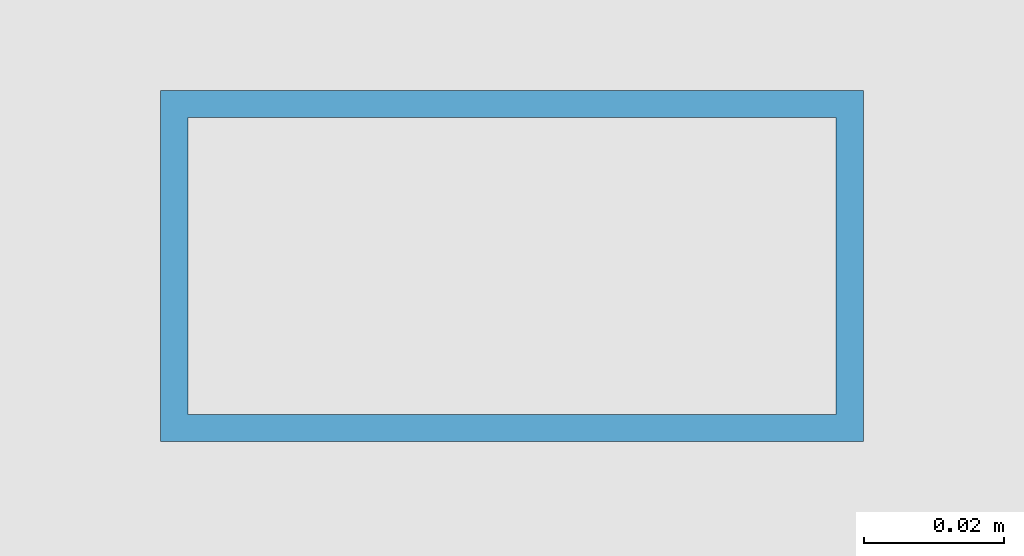
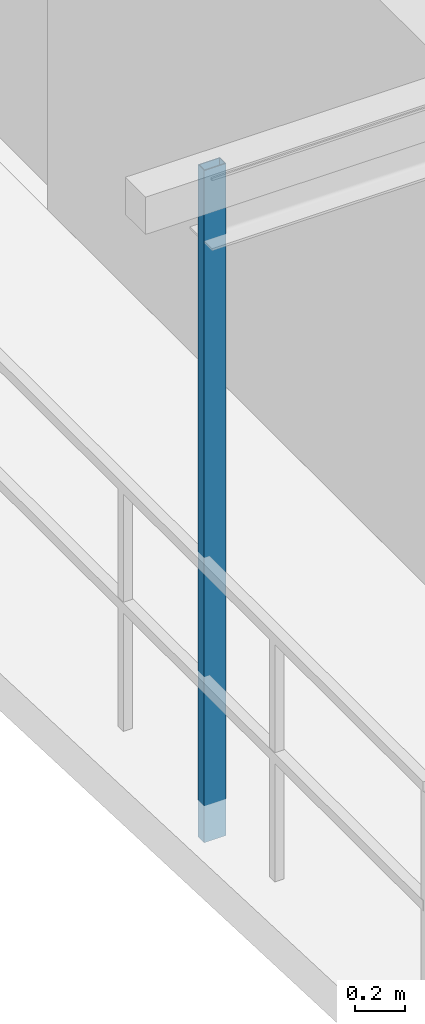
# One storey, part 2 of 15: 1 member.
"""IFC4 building model written with IfcOpenShell, lengths in metres."""

from ifc_helpers import new_model, si_unit, direction, frame, origin, origin_2d, place, context, subcontext, project, spatial, hollow_rectangle, extrude, source, transform, mapped, material, material_profile, profile_set, type_object, element, save


model = new_model("IFC4")

# Units and contexts
model_context = context("Model", 3, precision=1e-05, world=origin(), true_north=direction((0.0, 1.0)))
body_context = subcontext(model_context, "Body", "Model", "MODEL_VIEW")
ifc_project = project(units=[si_unit("LENGTHUNIT", "METRE"), si_unit("AREAUNIT", "SQUARE_METRE"), si_unit("VOLUMEUNIT", "CUBIC_METRE"), si_unit("PLANEANGLEUNIT", "RADIAN"), si_unit("MASSUNIT", "GRAM", prefix="KILO"), si_unit("THERMODYNAMICTEMPERATUREUNIT", "KELVIN"), si_unit("POWERUNIT", "WATT")], contexts=[model_context])

# Site, building, storey
site_placement = place(None, origin())
site = spatial("IfcSite", under=ifc_project, at=site_placement, CompositionType="ELEMENT")
building_placement = place(site_placement, origin())
building = spatial("IfcBuilding", under=site, at=building_placement, Name="Qiaomeng Ring Towers", CompositionType="ELEMENT")
storey_placement = place(building_placement, frame((0.0, 0.0, 193.75)))
storey = spatial("IfcBuildingStorey", under=building, at=storey_placement, Name="L56", CompositionType="ELEMENT", Elevation=193.75)

# Member
ifc_material = material(Name="Stainless steel 316", Category="steel")
ifc_material_profile = material_profile(ifc_material, hollow_rectangle(XDim=0.050048828125, YDim=0.10009765625, WallThickness=0.00390625, at=origin_2d()), Name="SS TRELLIS 100x50")
ifc_profile_set = profile_set([ifc_material_profile], Name="Stainless steel 316")
member_type = type_object("IfcMemberType", Name="ARC-TR-POST2", PredefinedType="STUD", material=ifc_profile_set)
shared_shape = source(origin(), body_context, "Body", "SweptSolid", [
    extrude(hollow_rectangle(XDim=0.050048828125, YDim=0.10009765625, WallThickness=0.00390625, at=origin_2d()), origin(), (0.0, 0.0, 1.0), 3.25),
])
member_placement = place(storey_placement, frame((0.72998046875, 20.0, -0.179931640625), z_axis=(0.0, 0.0, 1.0), x_axis=(0.0, 1.0, 0.0)))
element("IfcMember", 1, at=member_placement, inside=storey, type_object=member_type, Name="L56 Outer Ventilated Trellis Post W", PredefinedType="STUD", context=body_context, shape_type="MappedRepresentation", body=[
    mapped(shared_shape, transform((0.0, 0.0, 0.0), x_axis=(1.0, 0.0, 0.0), y_axis=(0.0, 1.0, 0.0), z_axis=(0.0, 0.0, 1.0), scale=1.0)),
])

save(model, "model.ifc")
